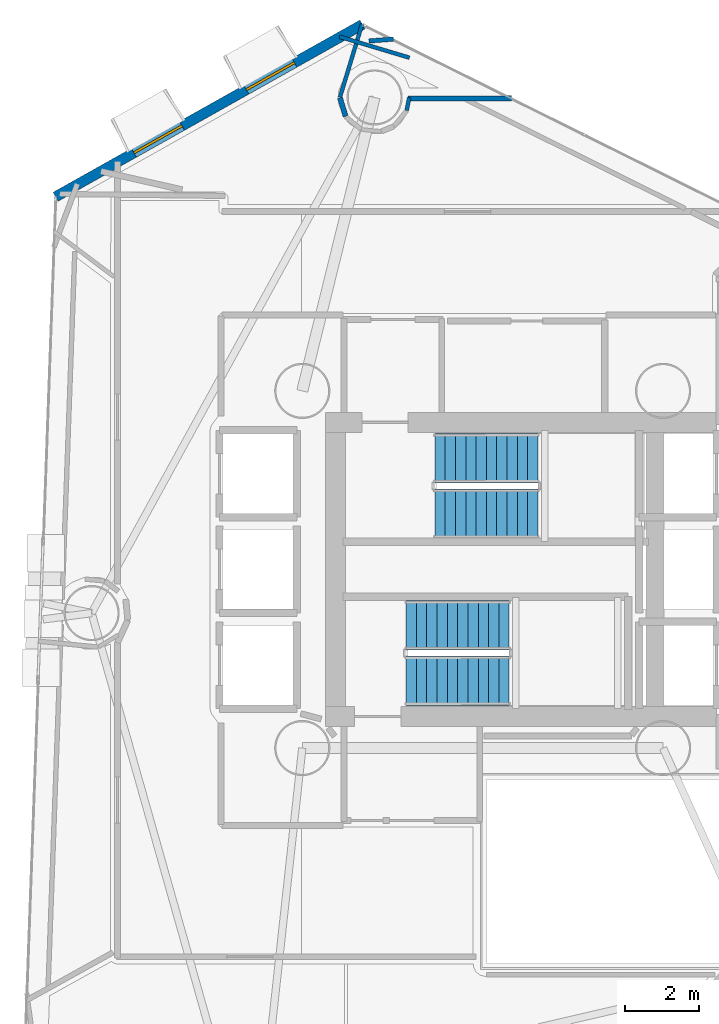
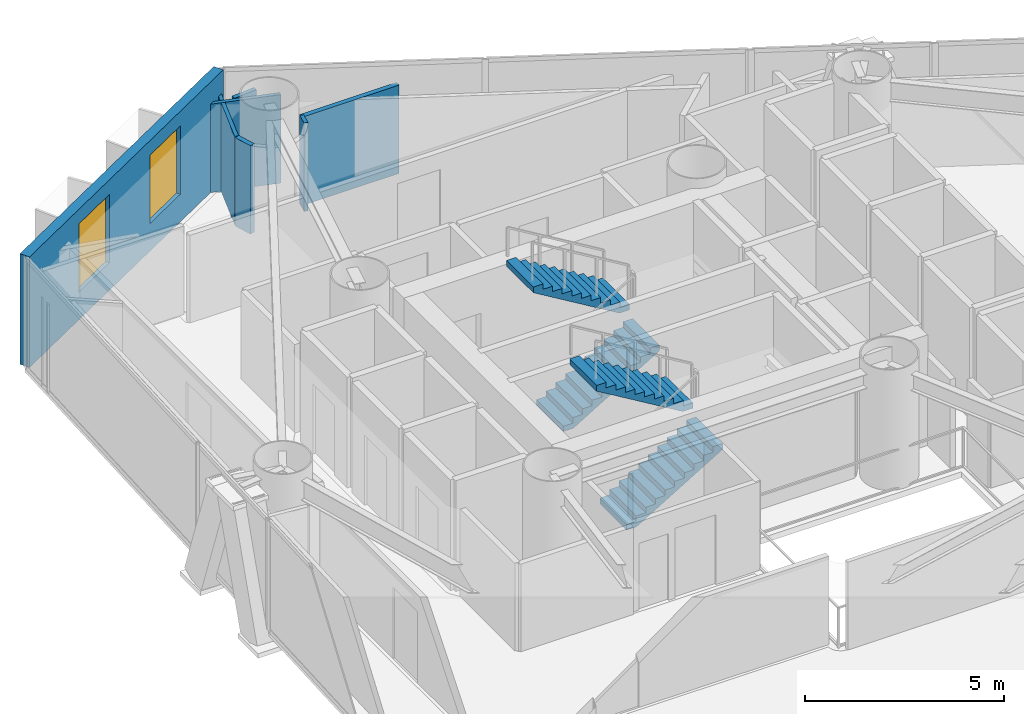
# One storey, part 19 of 22: 7 walls, 4 stair flights, 2 windows, 2 openings, 2 elements without a shape of their own.
"""IFC4 building model written with IfcOpenShell, lengths in metres."""

from ifc_helpers import new_model, si_unit, direction, frame, frame_2d, origin, place, context, subcontext, project, spatial, polyline, rectangle, outline, extrude, material, layer, layer_set, type_object, element, fill, aggregate, save


model = new_model("IFC4")

# Units and contexts
model_context = context("Model", 3, precision=1e-05, world=origin(), true_north=direction((0.0, 1.0)))
body_context = subcontext(model_context, "Body", "Model", "MODEL_VIEW")
ifc_project = project(units=[si_unit("LENGTHUNIT", "METRE"), si_unit("AREAUNIT", "SQUARE_METRE"), si_unit("VOLUMEUNIT", "CUBIC_METRE"), si_unit("PLANEANGLEUNIT", "RADIAN"), si_unit("MASSUNIT", "GRAM", prefix="KILO")], contexts=[model_context])

# Site, building, storey
site_placement = place(None, origin())
site = spatial("IfcSite", under=ifc_project, at=site_placement, CompositionType="ELEMENT")
building_placement = place(site_placement, origin())
building = spatial("IfcBuilding", under=site, at=building_placement, Name="Qianvela Tower", CompositionType="ELEMENT")
storey_placement = place(building_placement, frame((0.0, 0.0, 134.800048828125)))
storey = spatial("IfcBuildingStorey", under=building, at=storey_placement, Name="L34", CompositionType="ELEMENT", Elevation=134.800048828125)

# Wall, openings, windows
ifc_material_1 = material(Name="Terracotta Cladding on Concrete C40", Category="masonry")
ifc_layer_1 = layer(ifc_material_1, 0.280029296875)
ifc_layer_set_1 = layer_set([ifc_layer_1], Name="Terracotta Cladding on Concrete C40")
wall_type_1 = type_object("IfcWallType", Name="TERRACOTTA-WALL-280", PredefinedType="SOLIDWALL", material=ifc_layer_set_1)
wall_1_placement = place(storey_placement, frame((30.23486328125, 43.5029296875, 0.0), z_axis=(0.0, 0.0, 1.0), x_axis=(-0.872027391353, -0.489457075473, 0.0)))
wall_1 = element("IfcWall", 1, at=wall_1_placement, inside=storey, type_object=wall_type_1, Name="L34 Terracotta Chamfer Facet Wall 3", PredefinedType="SOLIDWALL", context=body_context, shape_type="SweptSolid", body=[
    extrude(rectangle(XDim=9.55908203125, YDim=0.280029296875, at=frame_2d((4.779541015625, 0.0))), origin(), (0.0, 0.0, 1.0), 3.39990234375),
])
opening_1_placement = place(wall_1_placement, frame((2.11767578125, 0.0, 0.85009765625)))
opening_1 = element("IfcOpeningElement", 2, at=opening_1_placement, cuts=wall_1, Name="Opening W-02", PredefinedType="OPENING", context=body_context, shape_type="SweptSolid", body=[
    extrude(rectangle(XDim=1.5, YDim=2.10009765625, at=frame_2d((0.75, 1.050048828125))), frame((0.0, 0.14990234375, 0.0), z_axis=(0.0, -1.0, 0.0), x_axis=(1.0, 0.0, 0.0)), (0.0, 0.0, 1.0), 0.300048828125),
])
opening_2_placement = place(wall_1_placement, frame((5.621337890625, 0.0, 0.85009765625)))
opening_2 = element("IfcOpeningElement", 3, at=opening_2_placement, cuts=wall_1, Name="Opening W-02", PredefinedType="OPENING", context=body_context, shape_type="SweptSolid", body=[
    extrude(rectangle(XDim=1.5, YDim=2.10009765625, at=frame_2d((0.75, 1.050048828125))), frame((0.0, 0.14990234375, 0.0), z_axis=(0.0, -1.0, 0.0), x_axis=(1.0, 0.0, 0.0)), (0.0, 0.0, 1.0), 0.300048828125),
])
ifc_material_2 = material(Name="Thermally Broken Aluminium and Low-E Glass", Category="aluminium")
window_type = type_object("IfcWindowType", Name="WIN-TC-1500x2100", PartitioningType="DOUBLE_PANEL_VERTICAL", PredefinedType="WINDOW", material=ifc_material_2)
window_1_placement = place(opening_1_placement, origin())
window_1 = element("IfcWindow", 4, at=window_1_placement, inside=storey, type_object=window_type, Name="L34 Chamfer Facet Window 3.1", OverallHeight=2.10009765625, OverallWidth=1.5, PartitioningType="SINGLE_PANEL", PredefinedType="WINDOW", context=body_context, shape_type="SweptSolid", body=[
    extrude(rectangle(XDim=1.5, YDim=2.10009765625, at=frame_2d((0.75, 1.050048828125))), frame((0.0, 0.030029296875, 0.0), z_axis=(0.0, -1.0, 0.0), x_axis=(1.0, 0.0, 0.0)), (0.0, 0.0, 1.0), 0.06005859375),
])
fill(opening_1, window_1)
window_2_placement = place(opening_2_placement, origin())
window_2 = element("IfcWindow", 5, at=window_2_placement, inside=storey, type_object=window_type, Name="L34 Chamfer Facet Window 3.2", OverallHeight=2.10009765625, OverallWidth=1.5, PartitioningType="SINGLE_PANEL", PredefinedType="WINDOW", context=body_context, shape_type="SweptSolid", body=[
    extrude(rectangle(XDim=1.5, YDim=2.10009765625, at=frame_2d((0.75, 1.050048828125))), frame((0.0, 0.030029296875, 0.0), z_axis=(0.0, -1.0, 0.0), x_axis=(1.0, 0.0, 0.0)), (0.0, 0.0, 1.0), 0.06005859375),
])
fill(opening_2, window_2)

# Walls
ifc_material_3 = material(Name="Lightweight Gypsum Room Partition")
ifc_layer_2 = layer(ifc_material_3, 0.10498046875)
ifc_layer_set_2 = layer_set([ifc_layer_2], Name="Lightweight Gypsum Room Partition")
wall_type_2 = type_object("IfcWallType", Name="WT-PART-105", PredefinedType="PARTITIONING", material=ifc_layer_set_2)
wall_2_placement = place(storey_placement, frame((29.609130859375, 43.1708984375, 0.0), z_axis=(0.0, 0.0, 1.0), x_axis=(0.957836435748, -0.287314048305, 0.0)))
element("IfcWall", 6, at=wall_2_placement, inside=storey, type_object=wall_type_2, Name="L34 Partition 63 seg 1", PredefinedType="PARTITIONING", context=body_context, shape_type="SweptSolid", body=[
    extrude(rectangle(XDim=1.98583984375, YDim=0.10498046875, at=frame_2d((0.992919921875, 0.0))), origin(), (0.0, 0.0, 1.0), 2.719970703125),
])
wall_3_placement = place(storey_placement, frame((30.226318359375, 43.51416015625, 0.0), z_axis=(0.0, 0.0, 1.0), x_axis=(-0.290360314868, -0.956917388049, 0.0)))
element("IfcWall", 7, at=wall_3_placement, inside=storey, type_object=wall_type_2, Name="L34 Partition 69", PredefinedType="PARTITIONING", context=body_context, shape_type="SweptSolid", body=[
    extrude(rectangle(XDim=2.073486328125, YDim=0.10498046875, at=frame_2d((1.03662109375, 0.0))), origin(), (0.0, 0.0, 1.0), 2.719970703125),
])
wall_4_placement = place(storey_placement, frame((31.43505859375, 41.166748046875, 0.0), z_axis=(0.0, 0.0, 1.0), x_axis=(0.19466594417, 0.980869598968, 0.0)))
element("IfcWall", 8, at=wall_4_placement, inside=storey, type_object=wall_type_2, Name="L34 Partition 75", PredefinedType="PARTITIONING", context=body_context, shape_type="SweptSolid", body=[
    extrude(rectangle(XDim=0.356201171875, YDim=0.10498046875, at=frame_2d((0.17822265625, 0.0))), origin(), (0.0, 0.0, 1.0), 2.719970703125),
])
ifc_material_4 = material(Name="Insulated Gypsum Stud Partition")
ifc_layer_3 = layer(ifc_material_4, 0.1201171875)
ifc_layer_set_3 = layer_set([ifc_layer_3], Name="Insulated Gypsum Stud Partition")
wall_type_3 = type_object("IfcWallType", Name="WT-PART-120", PredefinedType="PARTITIONING", material=ifc_layer_set_3)
wall_5_placement = place(storey_placement, frame((31.073974609375, 43.106201171875, 0.0), z_axis=(0.0, 0.0, 1.0), x_axis=(-0.996901924198, -0.07865464723, 0.0)))
element("IfcWall", 9, at=wall_5_placement, inside=storey, type_object=wall_type_3, Name="L34 Partition 68", PredefinedType="PARTITIONING", context=body_context, shape_type="SweptSolid", body=[
    extrude(rectangle(XDim=0.667236328125, YDim=0.1201171875, at=frame_2d((0.33349609375, 0.0))), origin(), (0.0, 0.0, 1.0), 2.719970703125),
])
ifc_material_5 = material(Name="Acoustic Double Gypsum Stud Partition")
ifc_layer_4 = layer(ifc_material_5, 0.139892578125)
ifc_layer_set_4 = layer_set([ifc_layer_4], Name="Acoustic Double Gypsum Stud Partition")
wall_type_4 = type_object("IfcWallType", Name="WT-ROOM-140", PredefinedType="PARTITIONING", material=ifc_layer_set_4)
wall_6_placement = place(storey_placement, frame((29.624267578125, 41.511962890625, 0.0), z_axis=(0.0, 0.0, 1.0), x_axis=(0.290186937255, -0.956969979386, 0.0)))
element("IfcWall", 10, at=wall_6_placement, inside=storey, type_object=wall_type_4, Name="L34 Partition 70", PredefinedType="PARTITIONING", context=body_context, shape_type="SweptSolid", body=[
    extrude(rectangle(XDim=0.5283203125, YDim=0.139892578125, at=frame_2d((0.26416015625, 0.0))), origin(), (0.0, 0.0, 1.0), 2.719970703125),
])
wall_7_placement = place(storey_placement, frame((31.47412109375, 41.490966796875, 0.0), z_axis=(0.0, 0.0, 1.0), x_axis=(0.99999683476, 0.002516042704, 0.0)))
element("IfcWall", 11, at=wall_7_placement, inside=storey, type_object=wall_type_4, Name="L34 Partition 76", PredefinedType="PARTITIONING", context=body_context, shape_type="SweptSolid", body=[
    extrude(rectangle(XDim=2.81396484375, YDim=0.139892578125, at=frame_2d((1.406982421875, 0.0))), origin(), (0.0, 0.0, 1.0), 2.719970703125),
])

# Stair, stair flights
ifc_material_6 = material(Name="Concrete C40", Category="concrete")
stair_type = type_object("IfcStairType", Name="ST-DOGLEG-1350-R168-N22", PredefinedType="HALF_TURN_STAIR", material=ifc_material_6)
stair_1_placement = place(storey_placement, origin())
stair_1 = element("IfcStair", 12, at=stair_1_placement, inside=storey, type_object=stair_type, Name="L34 Smoke-Proof Core Stair ST-1", PredefinedType="HALF_TURN_STAIR")
ifc_material_7 = material(Name="Concrete C40", Category="concrete")
stair_flight_type = type_object("IfcStairFlightType", Name="STF-STRAIGHT-R168-P11", PredefinedType="STRAIGHT", material=ifc_material_7)
stair_flight_1_placement = place(storey_placement, frame((32.199951171875, 30.215087890625, 0.0), z_axis=(0.0, 0.0, 1.0), x_axis=(1.0, 0.0, 0.0)))
stair_flight_1 = element("IfcStairFlight", 13, at=stair_flight_1_placement, type_object=stair_flight_type, Name="ST-1 flight 1", NumberOfRisers=11, NumberOfTreads=10, PredefinedType="STRAIGHT", RiserHeight=0.168181818, TreadLength=0.28, context=body_context, shape_type="SweptSolid", body=[
    extrude(outline(polyline([(0.0, 0.0), (0.0, 0.168212890625), (0.280029296875, 0.168212890625), (0.280029296875, 0.33642578125), (0.56005859375, 0.33642578125), (0.56005859375, 0.504638671875), (0.840087890625, 0.504638671875), (0.840087890625, 0.672607421875), (1.1201171875, 0.672607421875), (1.1201171875, 0.8408203125), (1.39990234375, 0.8408203125), (1.39990234375, 1.009033203125), (1.679931640625, 1.009033203125), (1.679931640625, 1.17724609375), (1.9599609375, 1.17724609375), (1.9599609375, 1.345458984375), (2.239990234375, 1.345458984375), (2.239990234375, 1.513671875), (2.52001953125, 1.513671875), (2.52001953125, 1.681884765625), (2.800048828125, 1.681884765625), (2.800048828125, 1.85009765625), (2.800048828125, 1.5068359375), (0.291015625, 0.0), (0.0, 0.0)])), frame((0.0, 0.675048828125, 0.0), z_axis=(0.0, -1.0, 0.0), x_axis=(1.0, 0.0, 0.0)), (0.0, 0.0, 1.0), 1.35009765625),
])
stair_flight_2_placement = place(storey_placement, frame((35.0, 31.72509765625, 1.849853515625), z_axis=(0.0, 0.0, 1.0), x_axis=(-1.0, 0.0, 0.0)))
stair_flight_2 = element("IfcStairFlight", 14, at=stair_flight_2_placement, type_object=stair_flight_type, Name="ST-1 flight 2", NumberOfRisers=11, NumberOfTreads=10, PredefinedType="STRAIGHT", RiserHeight=0.168181818, TreadLength=0.28, context=body_context, shape_type="SweptSolid", body=[
    extrude(outline(polyline([(0.0, 0.0), (0.0, 0.168212890625), (0.280029296875, 0.168212890625), (0.280029296875, 0.33642578125), (0.56005859375, 0.33642578125), (0.56005859375, 0.504638671875), (0.840087890625, 0.504638671875), (0.840087890625, 0.672607421875), (1.1201171875, 0.672607421875), (1.1201171875, 0.8408203125), (1.39990234375, 0.8408203125), (1.39990234375, 1.009033203125), (1.679931640625, 1.009033203125), (1.679931640625, 1.17724609375), (1.9599609375, 1.17724609375), (1.9599609375, 1.345458984375), (2.239990234375, 1.345458984375), (2.239990234375, 1.513671875), (2.52001953125, 1.513671875), (2.52001953125, 1.681884765625), (2.800048828125, 1.681884765625), (2.800048828125, 1.85009765625), (2.800048828125, 1.5068359375), (0.291015625, 0.0), (0.0, 0.0)])), frame((0.0, 0.675048828125, 0.0), z_axis=(0.0, -1.0, 0.0), x_axis=(1.0, 0.0, 0.0)), (0.0, 0.0, 1.0), 1.35009765625),
])
aggregate(stair_1, [stair_flight_1, stair_flight_2])

stair_2_placement = place(storey_placement, origin())
stair_2 = element("IfcStair", 15, at=stair_2_placement, inside=storey, type_object=stair_type, Name="L34 Smoke-Proof Core Stair ST-2", PredefinedType="HALF_TURN_STAIR")
stair_flight_3_placement = place(storey_placement, frame((31.419921875, 25.675048828125, 0.0), z_axis=(0.0, 0.0, 1.0), x_axis=(1.0, 0.0, 0.0)))
stair_flight_3 = element("IfcStairFlight", 16, at=stair_flight_3_placement, type_object=stair_flight_type, Name="ST-2 flight 1", NumberOfRisers=11, NumberOfTreads=10, PredefinedType="STRAIGHT", RiserHeight=0.168181818, TreadLength=0.28, context=body_context, shape_type="SweptSolid", body=[
    extrude(outline(polyline([(0.0, 0.0), (0.0, 0.168212890625), (0.280029296875, 0.168212890625), (0.280029296875, 0.33642578125), (0.56005859375, 0.33642578125), (0.56005859375, 0.504638671875), (0.840087890625, 0.504638671875), (0.840087890625, 0.672607421875), (1.1201171875, 0.672607421875), (1.1201171875, 0.8408203125), (1.39990234375, 0.8408203125), (1.39990234375, 1.009033203125), (1.679931640625, 1.009033203125), (1.679931640625, 1.17724609375), (1.9599609375, 1.17724609375), (1.9599609375, 1.345458984375), (2.239990234375, 1.345458984375), (2.239990234375, 1.513671875), (2.52001953125, 1.513671875), (2.52001953125, 1.681884765625), (2.800048828125, 1.681884765625), (2.800048828125, 1.85009765625), (2.800048828125, 1.5068359375), (0.291015625, 0.0), (0.0, 0.0)])), frame((0.0, 0.675048828125, 0.0), z_axis=(0.0, -1.0, 0.0), x_axis=(1.0, 0.0, 0.0)), (0.0, 0.0, 1.0), 1.35009765625),
])
stair_flight_4_placement = place(storey_placement, frame((34.219970703125, 27.18505859375, 1.849853515625), z_axis=(0.0, 0.0, 1.0), x_axis=(-1.0, 0.0, 0.0)))
stair_flight_4 = element("IfcStairFlight", 17, at=stair_flight_4_placement, type_object=stair_flight_type, Name="ST-2 flight 2", NumberOfRisers=11, NumberOfTreads=10, PredefinedType="STRAIGHT", RiserHeight=0.168181818, TreadLength=0.28, context=body_context, shape_type="SweptSolid", body=[
    extrude(outline(polyline([(0.0, 0.0), (0.0, 0.168212890625), (0.280029296875, 0.168212890625), (0.280029296875, 0.33642578125), (0.56005859375, 0.33642578125), (0.56005859375, 0.504638671875), (0.840087890625, 0.504638671875), (0.840087890625, 0.672607421875), (1.1201171875, 0.672607421875), (1.1201171875, 0.8408203125), (1.39990234375, 0.8408203125), (1.39990234375, 1.009033203125), (1.679931640625, 1.009033203125), (1.679931640625, 1.17724609375), (1.9599609375, 1.17724609375), (1.9599609375, 1.345458984375), (2.239990234375, 1.345458984375), (2.239990234375, 1.513671875), (2.52001953125, 1.513671875), (2.52001953125, 1.681884765625), (2.800048828125, 1.681884765625), (2.800048828125, 1.85009765625), (2.800048828125, 1.5068359375), (0.291015625, 0.0), (0.0, 0.0)])), frame((0.0, 0.675048828125, 0.0), z_axis=(0.0, -1.0, 0.0), x_axis=(1.0, 0.0, 0.0)), (0.0, 0.0, 1.0), 1.35009765625),
])
aggregate(stair_2, [stair_flight_3, stair_flight_4])

save(model, "model.ifc")
